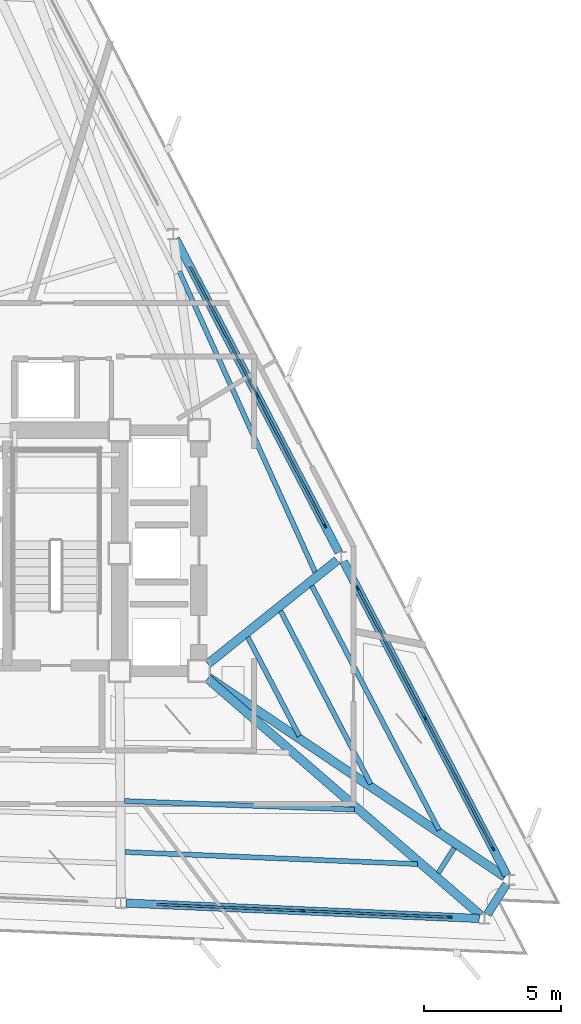
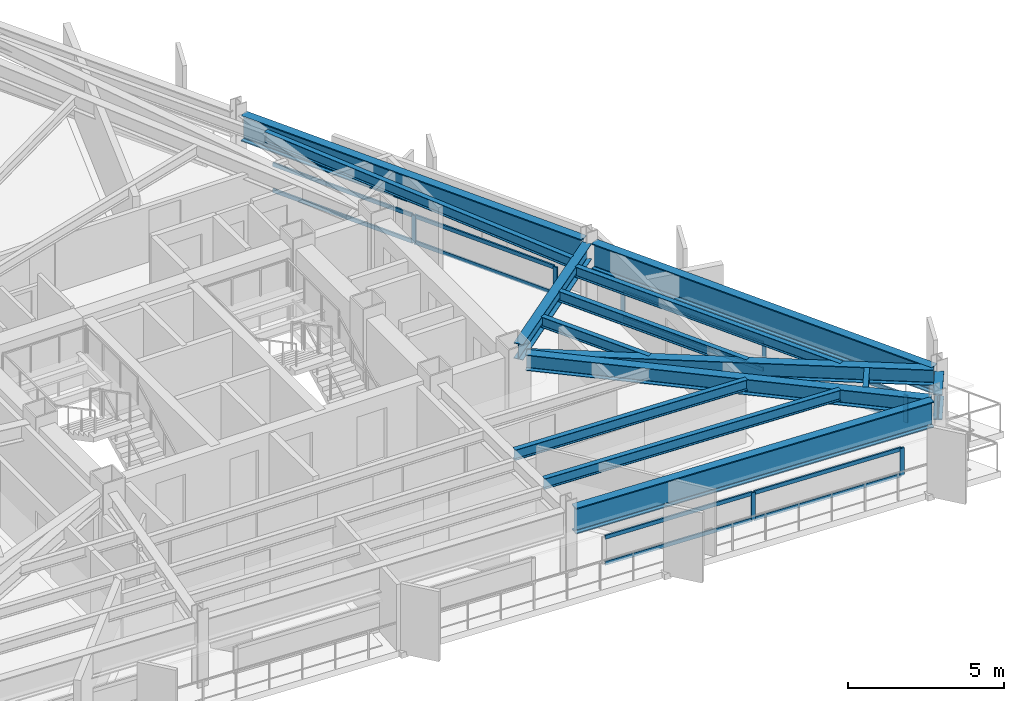
# One storey, part 5 of 12: 19 members, 14 beams, 3 elements without a shape of their own.
"""IFC4 building model written with IfcOpenShell, lengths in metres."""

from ifc_helpers import new_model, si_unit, direction, frame, origin, origin_2d, place, context, subcontext, project, spatial, rectangle, i_section, extrude, material, layer, layer_set, material_profile, profile_set, type_object, element, aggregate, save


model = new_model("IFC4")

# Units and contexts
model_context = context("Model", 3, precision=1e-05, world=origin(), true_north=direction((0.0, 1.0)))
body_context = subcontext(model_context, "Body", "Model", "MODEL_VIEW")
ifc_project = project(units=[si_unit("LENGTHUNIT", "METRE"), si_unit("AREAUNIT", "SQUARE_METRE"), si_unit("VOLUMEUNIT", "CUBIC_METRE"), si_unit("PLANEANGLEUNIT", "RADIAN"), si_unit("MASSUNIT", "GRAM", prefix="KILO")], contexts=[model_context])

# Site, building, storey
site_placement = place(None, origin())
site = spatial("IfcSite", under=ifc_project, at=site_placement, CompositionType="ELEMENT")
building_placement = place(site_placement, origin())
building = spatial("IfcBuilding", under=site, at=building_placement, Name="Rocaltana Carrier Exchange", CompositionType="ELEMENT")
storey_placement = place(building_placement, frame((0.0, 0.0, 144.159912109375)))
storey = spatial("IfcBuildingStorey", under=building, at=storey_placement, Name="L45", CompositionType="ELEMENT", Elevation=144.159912109375)

# Curtain wall, members
ifc_material_1 = material(Name="Aluminium 6063-T6", Category="aluminium")
ifc_layer = layer(ifc_material_1, 0.14990234375)
ifc_layer_set = layer_set([ifc_layer], Name="Aluminium 6063-T6")
curtain_wall_type = type_object("IfcCurtainWallType", Name="Mid-Tower Unitised Curtain Wall CW-03", PredefinedType="NOTDEFINED", material=ifc_layer_set)
curtain_wall_1_placement = place(storey_placement, origin())
curtain_wall_1 = element("IfcCurtainWall", 1, at=curtain_wall_1_placement, inside=storey, type_object=curtain_wall_type, Name="L45 CW-03 Run CW-L45-F1S1", PredefinedType="NOTDEFINED")
ifc_material_2 = material(Name="Aluminium 6063-T6", Category="aluminium")
ifc_material_profile_1 = material_profile(ifc_material_2, rectangle(XDim=0.06005859375, YDim=0.14990234375, at=origin_2d()), Name="AL-60X150")
ifc_profile_set_1 = profile_set([ifc_material_profile_1], Name="Aluminium 6063-T6")
member_type_1 = type_object("IfcMemberType", Name="CW-03 Mullion AL-60X150", PredefinedType="MULLION", material=ifc_profile_set_1)
member_1_placement = place(storey_placement, frame((19.700439453125, -10.792724609375, 0.0), z_axis=(0.0, 0.0, 1.0), x_axis=(-0.887009929614, -0.461750348962, 0.0)))
member_1 = element("IfcMember", 2, at=member_1_placement, type_object=member_type_1, Name="CW-03 mullion 1", PredefinedType="MULLION", context=body_context, shape_type="SweptSolid", body=[
    extrude(rectangle(XDim=0.06005859375, YDim=0.14990234375, at=origin_2d()), origin(), (0.0, 0.0, 1.0), 1.078125),
])
member_2_placement = place(storey_placement, frame((17.220947265625, -6.029541015625, 0.0), z_axis=(0.0, 0.0, 1.0), x_axis=(-0.887009929614, -0.461750348962, 0.0)))
member_2 = element("IfcMember", 3, at=member_2_placement, type_object=member_type_1, Name="CW-03 mullion 2", PredefinedType="MULLION", context=body_context, shape_type="SweptSolid", body=[
    extrude(rectangle(XDim=0.06005859375, YDim=0.14990234375, at=origin_2d()), origin(), (0.0, 0.0, 1.0), 1.078125),
])
member_3_placement = place(storey_placement, frame((14.7412109375, -1.266357421875, 0.0), z_axis=(0.0, 0.0, 1.0), x_axis=(-0.887009929614, -0.461750348962, 0.0)))
member_3 = element("IfcMember", 4, at=member_3_placement, type_object=member_type_1, Name="CW-03 mullion 3", PredefinedType="MULLION", context=body_context, shape_type="SweptSolid", body=[
    extrude(rectangle(XDim=0.06005859375, YDim=0.14990234375, at=origin_2d()), origin(), (0.0, 0.0, 1.0), 1.078125),
])

curtain_wall_2_placement = place(storey_placement, origin())
curtain_wall_2 = element("IfcCurtainWall", 5, at=curtain_wall_2_placement, inside=storey, type_object=curtain_wall_type, Name="L45 CW-03 Run CW-L45-F1S2", PredefinedType="NOTDEFINED")
member_4_placement = place(storey_placement, frame((13.55908203125, 1.00439453125, 0.0), z_axis=(0.0, 0.0, 1.0), x_axis=(-0.887011747812, -0.461746856235, 0.0)))
member_4 = element("IfcMember", 6, at=member_4_placement, type_object=member_type_1, Name="CW-03 mullion 1", PredefinedType="MULLION", context=body_context, shape_type="SweptSolid", body=[
    extrude(rectangle(XDim=0.06005859375, YDim=0.14990234375, at=origin_2d()), origin(), (0.0, 0.0, 1.0), 1.078125),
])
member_5_placement = place(storey_placement, frame((11.07958984375, 5.767578125, 0.0), z_axis=(0.0, 0.0, 1.0), x_axis=(-0.887011747812, -0.461746856235, 0.0)))
member_5 = element("IfcMember", 7, at=member_5_placement, type_object=member_type_1, Name="CW-03 mullion 2", PredefinedType="MULLION", context=body_context, shape_type="SweptSolid", body=[
    extrude(rectangle(XDim=0.06005859375, YDim=0.14990234375, at=origin_2d()), origin(), (0.0, 0.0, 1.0), 1.078125),
])

curtain_wall_3_placement = place(storey_placement, origin())
curtain_wall_3 = element("IfcCurtainWall", 8, at=curtain_wall_3_placement, inside=storey, type_object=curtain_wall_type, Name="L45 CW-03 Run CW-L45-F3S3", PredefinedType="NOTDEFINED")
member_6_placement = place(storey_placement, frame((12.742431640625, -13.05908203125, 0.0), z_axis=(0.0, 0.0, 1.0), x_axis=(0.043629290456, 0.999047789154, 0.0)))
member_6 = element("IfcMember", 9, at=member_6_placement, type_object=member_type_1, Name="CW-03 mullion 2", PredefinedType="MULLION", context=body_context, shape_type="SweptSolid", body=[
    extrude(rectangle(XDim=0.06005859375, YDim=0.14990234375, at=origin_2d()), origin(), (0.0, 0.0, 1.0), 1.078125),
])
member_7_placement = place(storey_placement, frame((18.107421875, -13.29345703125, 0.0), z_axis=(0.0, 0.0, 1.0), x_axis=(0.043629290456, 0.999047789154, 0.0)))
member_7 = element("IfcMember", 10, at=member_7_placement, type_object=member_type_1, Name="CW-03 mullion 3", PredefinedType="MULLION", context=body_context, shape_type="SweptSolid", body=[
    extrude(rectangle(XDim=0.06005859375, YDim=0.14990234375, at=origin_2d()), origin(), (0.0, 0.0, 1.0), 1.078125),
])

# Member
ifc_material_3 = material(Name="Aluminium 6063-T6", Category="aluminium")
ifc_material_profile_2 = material_profile(ifc_material_3, rectangle(XDim=0.06005859375, YDim=0.14990234375, at=origin_2d()), Name="AL-60X150")
ifc_profile_set_2 = profile_set([ifc_material_profile_2], Name="Aluminium 6063-T6")
member_type_2 = type_object("IfcMemberType", Name="CW-03 Transom AL-60X150", PredefinedType="USERDEFINED", material=ifc_profile_set_2)
member_8_placement = place(storey_placement, frame((19.6865234375, -10.76611328125, 0.030029296875), z_axis=(-0.461756588365, 0.887006681543, 0.0), x_axis=(-0.887006681543, -0.461756588365, 0.0)))
member_8 = element("IfcMember", 11, at=member_8_placement, type_object=member_type_2, Name="CW-03 transom 1.1", ObjectType="TRANSOM", PredefinedType="USERDEFINED", context=body_context, shape_type="SweptSolid", body=[
    extrude(rectangle(XDim=0.06005859375, YDim=0.14990234375, at=origin_2d()), origin(), (0.0, 0.0, 1.0), 5.31005859375),
])

member_9_placement = place(storey_placement, frame((19.6865234375, -10.76611328125, 1.048095703125), z_axis=(-0.461756588365, 0.887006681543, 0.0), x_axis=(-0.887006681543, -0.461756588365, 0.0)))
member_9 = element("IfcMember", 12, at=member_9_placement, type_object=member_type_2, Name="CW-03 transom 1.2", ObjectType="TRANSOM", PredefinedType="USERDEFINED", context=body_context, shape_type="SweptSolid", body=[
    extrude(rectangle(XDim=0.06005859375, YDim=0.14990234375, at=origin_2d()), origin(), (0.0, 0.0, 1.0), 5.31005859375),
])

member_10_placement = place(storey_placement, frame((17.20703125, -6.0029296875, 0.030029296875), z_axis=(-0.461756588365, 0.887006681543, 0.0), x_axis=(-0.887006681543, -0.461756588365, 0.0)))
member_10 = element("IfcMember", 13, at=member_10_placement, type_object=member_type_2, Name="CW-03 transom 2.1", ObjectType="TRANSOM", PredefinedType="USERDEFINED", context=body_context, shape_type="SweptSolid", body=[
    extrude(rectangle(XDim=0.06005859375, YDim=0.14990234375, at=origin_2d()), origin(), (0.0, 0.0, 1.0), 5.31005859375),
])

member_11_placement = place(storey_placement, frame((17.20703125, -6.0029296875, 1.048095703125), z_axis=(-0.461756588365, 0.887006681543, 0.0), x_axis=(-0.887006681543, -0.461756588365, 0.0)))
member_11 = element("IfcMember", 14, at=member_11_placement, type_object=member_type_2, Name="CW-03 transom 2.2", ObjectType="TRANSOM", PredefinedType="USERDEFINED", context=body_context, shape_type="SweptSolid", body=[
    extrude(rectangle(XDim=0.06005859375, YDim=0.14990234375, at=origin_2d()), origin(), (0.0, 0.0, 1.0), 5.31005859375),
])

aggregate(curtain_wall_1, [member_1, member_2, member_3, member_8, member_9, member_10, member_11])

member_12_placement = place(storey_placement, frame((13.54541015625, 1.031005859375, 0.030029296875), z_axis=(-0.461737757324, 0.887016484323, 0.0), x_axis=(-0.887016484323, -0.461737757324, 0.0)))
member_12 = element("IfcMember", 15, at=member_12_placement, type_object=member_type_2, Name="CW-03 transom 1.1", ObjectType="TRANSOM", PredefinedType="USERDEFINED", context=body_context, shape_type="SweptSolid", body=[
    extrude(rectangle(XDim=0.06005859375, YDim=0.14990234375, at=origin_2d()), origin(), (0.0, 0.0, 1.0), 5.31005859375),
])

member_13_placement = place(storey_placement, frame((13.54541015625, 1.031005859375, 1.048095703125), z_axis=(-0.461737757324, 0.887016484323, 0.0), x_axis=(-0.887016484323, -0.461737757324, 0.0)))
member_13 = element("IfcMember", 16, at=member_13_placement, type_object=member_type_2, Name="CW-03 transom 1.2", ObjectType="TRANSOM", PredefinedType="USERDEFINED", context=body_context, shape_type="SweptSolid", body=[
    extrude(rectangle(XDim=0.06005859375, YDim=0.14990234375, at=origin_2d()), origin(), (0.0, 0.0, 1.0), 5.31005859375),
])

member_14_placement = place(storey_placement, frame((11.065673828125, 5.794189453125, 0.030029296875), z_axis=(-0.461701582275, 0.887035314362, 0.0), x_axis=(-0.887035314362, -0.461701582275, 0.0)))
member_14 = element("IfcMember", 17, at=member_14_placement, type_object=member_type_2, Name="CW-03 transom 2.1", ObjectType="TRANSOM", PredefinedType="USERDEFINED", context=body_context, shape_type="SweptSolid", body=[
    extrude(rectangle(XDim=0.06005859375, YDim=0.14990234375, at=origin_2d()), origin(), (0.0, 0.0, 1.0), 5.31005859375),
])

member_15_placement = place(storey_placement, frame((11.065673828125, 5.794189453125, 1.048095703125), z_axis=(-0.461701582275, 0.887035314362, 0.0), x_axis=(-0.887035314362, -0.461701582275, 0.0)))
member_15 = element("IfcMember", 18, at=member_15_placement, type_object=member_type_2, Name="CW-03 transom 2.2", ObjectType="TRANSOM", PredefinedType="USERDEFINED", context=body_context, shape_type="SweptSolid", body=[
    extrude(rectangle(XDim=0.06005859375, YDim=0.14990234375, at=origin_2d()), origin(), (0.0, 0.0, 1.0), 5.31005859375),
])

aggregate(curtain_wall_2, [member_4, member_5, member_12, member_13, member_14, member_15])

member_16_placement = place(storey_placement, frame((7.407470703125, -12.826171875, 0.030029296875), z_axis=(0.999047725225, -0.043630754314, 0.0), x_axis=(0.043630754314, 0.999047725225, 0.0)))
member_16 = element("IfcMember", 19, at=member_16_placement, type_object=member_type_2, Name="CW-03 transom 1.1", ObjectType="TRANSOM", PredefinedType="USERDEFINED", context=body_context, shape_type="SweptSolid", body=[
    extrude(rectangle(XDim=0.06005859375, YDim=0.14990234375, at=origin_2d()), origin(), (0.0, 0.0, 1.0), 5.310302734375),
])

member_17_placement = place(storey_placement, frame((7.407470703125, -12.826171875, 1.048095703125), z_axis=(0.999047725225, -0.043630754314, 0.0), x_axis=(0.043630754314, 0.999047725225, 0.0)))
member_17 = element("IfcMember", 20, at=member_17_placement, type_object=member_type_2, Name="CW-03 transom 1.2", ObjectType="TRANSOM", PredefinedType="USERDEFINED", context=body_context, shape_type="SweptSolid", body=[
    extrude(rectangle(XDim=0.06005859375, YDim=0.14990234375, at=origin_2d()), origin(), (0.0, 0.0, 1.0), 5.310302734375),
])

member_18_placement = place(storey_placement, frame((12.7724609375, -13.060546875, 0.030029296875), z_axis=(0.999047637698, -0.043632758442, 0.0), x_axis=(0.043632758442, 0.999047637698, 0.0)))
member_18 = element("IfcMember", 21, at=member_18_placement, type_object=member_type_2, Name="CW-03 transom 2.1", ObjectType="TRANSOM", PredefinedType="USERDEFINED", context=body_context, shape_type="SweptSolid", body=[
    extrude(rectangle(XDim=0.06005859375, YDim=0.14990234375, at=origin_2d()), origin(), (0.0, 0.0, 1.0), 5.31005859375),
])

member_19_placement = place(storey_placement, frame((12.7724609375, -13.060546875, 1.048095703125), z_axis=(0.999047637698, -0.043632758442, 0.0), x_axis=(0.043632758442, 0.999047637698, 0.0)))
member_19 = element("IfcMember", 22, at=member_19_placement, type_object=member_type_2, Name="CW-03 transom 2.2", ObjectType="TRANSOM", PredefinedType="USERDEFINED", context=body_context, shape_type="SweptSolid", body=[
    extrude(rectangle(XDim=0.06005859375, YDim=0.14990234375, at=origin_2d()), origin(), (0.0, 0.0, 1.0), 5.31005859375),
])

aggregate(curtain_wall_3, [member_6, member_7, member_16, member_17, member_18, member_19])

# Beams
ifc_material_4 = material(Name="Steel S355", Category="steel")
ifc_material_profile_3 = material_profile(ifc_material_4, i_section(OverallWidth=0.179931640625, OverallDepth=0.4130859375, WebThickness=0.009765625, FlangeThickness=0.01611328125, FilletRadius=0.012939453125, at=origin_2d()), Name="W16X50")
ifc_profile_set_3 = profile_set([ifc_material_profile_3], Name="Steel S355")
beam_type_1 = type_object("IfcBeamType", Name="Floor Joist W16X50", PredefinedType="JOIST", material=ifc_profile_set_3)
beam_1_placement = place(storey_placement, frame((12.62060546875, -6.678955078125, 2.41162109375), z_axis=(-0.461741088253, 0.887014750395, 0.0), x_axis=(-0.887014750395, -0.461741088253, 0.0)))
element("IfcBeam", 23, at=beam_1_placement, inside=storey, type_object=beam_type_1, Name="FJ-L45-01-1", PredefinedType="JOIST", context=body_context, shape_type="SweptSolid", body=[
    extrude(i_section(OverallWidth=0.179931640625, OverallDepth=0.4130859375, WebThickness=0.009765625, FlangeThickness=0.01611328125, FilletRadius=0.012939453125, at=origin_2d()), origin(), (0.0, 0.0, 1.0), 4.0771484375),
])
beam_2_placement = place(storey_placement, frame((15.229248046875, -8.433349609375, 2.41162109375), z_axis=(-0.461769572887, 0.886999921959, 0.0), x_axis=(-0.886999921959, -0.461769572887, 0.0)))
element("IfcBeam", 24, at=beam_2_placement, inside=storey, type_object=beam_type_1, Name="FJ-L45-01-2", PredefinedType="JOIST", context=body_context, shape_type="SweptSolid", body=[
    extrude(i_section(OverallWidth=0.179931640625, OverallDepth=0.4130859375, WebThickness=0.009765625, FlangeThickness=0.01611328125, FilletRadius=0.012939453125, at=origin_2d()), origin(), (0.0, 0.0, 1.0), 7.135986328125),
])
beam_3_placement = place(storey_placement, frame((17.724365234375, -10.111572265625, 2.41162109375), z_axis=(-0.461760646449, 0.88700456898, 0.0), x_axis=(-0.88700456898, -0.461760646449, 0.0)))
element("IfcBeam", 25, at=beam_3_placement, inside=storey, type_object=beam_type_1, Name="FJ-L45-01-3", PredefinedType="JOIST", context=body_context, shape_type="SweptSolid", body=[
    extrude(i_section(OverallWidth=0.179931640625, OverallDepth=0.4130859375, WebThickness=0.009765625, FlangeThickness=0.01611328125, FilletRadius=0.012939453125, at=origin_2d()), origin(), (0.0, 0.0, 1.0), 10.06201171875),
])
beam_4_placement = place(storey_placement, frame((13.201904296875, -0.697509765625, 2.41162109375), z_axis=(-0.41154987929, 0.911387237598, 0.0), x_axis=(-0.911387237598, -0.41154987929, 0.0)))
element("IfcBeam", 26, at=beam_4_placement, inside=storey, type_object=beam_type_1, Name="FJ-L45-02-3", PredefinedType="JOIST", context=body_context, shape_type="SweptSolid", body=[
    extrude(i_section(OverallWidth=0.179931640625, OverallDepth=0.4130859375, WebThickness=0.009765625, FlangeThickness=0.01611328125, FilletRadius=0.012939453125, at=origin_2d()), origin(), (0.0, 0.0, 1.0), 12.0732421875),
])
beam_5_placement = place(storey_placement, frame((6.233154296875, -9.048583984375, 2.41162109375), z_axis=(0.999306338381, -0.037240328574, 0.0), x_axis=(0.037240328574, 0.999306338381, 0.0)))
element("IfcBeam", 27, at=beam_5_placement, inside=storey, type_object=beam_type_1, Name="FJ-L45-11-2", PredefinedType="JOIST", context=body_context, shape_type="SweptSolid", body=[
    extrude(i_section(OverallWidth=0.179931640625, OverallDepth=0.4130859375, WebThickness=0.009765625, FlangeThickness=0.01611328125, FilletRadius=0.012939453125, at=origin_2d()), origin(), (0.0, 0.0, 1.0), 8.4111328125),
])
beam_6_placement = place(storey_placement, frame((6.243896484375, -10.912353515625, 2.41162109375), z_axis=(0.999155233616, -0.041095244719, 0.0), x_axis=(0.041095244719, 0.999155233616, 0.0)))
element("IfcBeam", 28, at=beam_6_placement, inside=storey, type_object=beam_type_1, Name="FJ-L45-11-3", PredefinedType="JOIST", context=body_context, shape_type="SweptSolid", body=[
    extrude(i_section(OverallWidth=0.179931640625, OverallDepth=0.4130859375, WebThickness=0.009765625, FlangeThickness=0.01611328125, FilletRadius=0.012939453125, at=origin_2d()), origin(), (0.0, 0.0, 1.0), 10.699462890625),
])
beam_7_placement = place(storey_placement, frame((17.69580078125, -11.67919921875, 2.41162109375), z_axis=(0.537311646576, 0.843383776495, 0.0), x_axis=(-0.843383776495, 0.537311646576, 0.0)))
element("IfcBeam", 29, at=beam_7_placement, inside=storey, type_object=beam_type_1, Name="FJ-L45-12-3", PredefinedType="JOIST", context=body_context, shape_type="SweptSolid", body=[
    extrude(i_section(OverallWidth=0.179931640625, OverallDepth=0.4130859375, WebThickness=0.009765625, FlangeThickness=0.01611328125, FilletRadius=0.012939453125, at=origin_2d()), origin(), (0.0, 0.0, 1.0), 1.08642578125),
])
ifc_material_5 = material(Name="Steel S355", Category="steel")
ifc_material_profile_4 = material_profile(ifc_material_5, i_section(OverallWidth=0.323974609375, OverallDepth=0.611083984375, WebThickness=0.0126953125, FlangeThickness=0.01904296875, FilletRadius=0.01611328125, at=origin_2d()), Name="W24X104")
ifc_profile_set_4 = profile_set([ifc_material_profile_4], Name="Steel S355")
beam_type_2 = type_object("IfcBeamType", Name="Radial Girder W24X104", PredefinedType="BEAM", material=ifc_profile_set_4)
beam_8_placement = place(storey_placement, frame((9.2958984375, -4.53271484375, 2.3125), z_axis=(0.829777044165, -0.558095025041, 0.0), x_axis=(0.558095025041, 0.829777044165, 0.0)))
element("IfcBeam", 30, at=beam_8_placement, inside=storey, type_object=beam_type_2, Name="RG-L45-01", PredefinedType="BEAM", context=body_context, shape_type="SweptSolid", body=[
    extrude(i_section(OverallWidth=0.323974609375, OverallDepth=0.611083984375, WebThickness=0.0126953125, FlangeThickness=0.01904296875, FilletRadius=0.01611328125, at=origin_2d()), origin(), (0.0, 0.0, 1.0), 13.059814453125),
])
beam_9_placement = place(storey_placement, frame((9.275390625, -4.039306640625, 2.3125), z_axis=(0.780199806369, 0.625530384667, 0.0), x_axis=(-0.625530384667, 0.780199806369, 0.0)))
element("IfcBeam", 31, at=beam_9_placement, inside=storey, type_object=beam_type_2, Name="RG-L45-02", PredefinedType="BEAM", context=body_context, shape_type="SweptSolid", body=[
    extrude(i_section(OverallWidth=0.323974609375, OverallDepth=0.611083984375, WebThickness=0.0126953125, FlangeThickness=0.01904296875, FilletRadius=0.01611328125, at=origin_2d()), origin(), (0.0, 0.0, 1.0), 6.056640625),
])
beam_10_placement = place(storey_placement, frame((9.26513671875, -4.5732421875, 2.3125), z_axis=(0.755520684866, -0.655124793257, 0.0), x_axis=(0.655124793257, 0.755520684866, 0.0)))
element("IfcBeam", 32, at=beam_10_placement, inside=storey, type_object=beam_type_2, Name="RG-L45-12", PredefinedType="BEAM", context=body_context, shape_type="SweptSolid", body=[
    extrude(i_section(OverallWidth=0.323974609375, OverallDepth=0.611083984375, WebThickness=0.0126953125, FlangeThickness=0.01904296875, FilletRadius=0.01611328125, at=origin_2d()), origin(), (0.0, 0.0, 1.0), 13.20458984375),
])
ifc_material_6 = material(Name="Steel S460", Category="steel")
ifc_material_profile_5 = material_profile(ifc_material_6, i_section(OverallWidth=0.302001953125, OverallDepth=1.008056640625, WebThickness=0.02099609375, FlangeThickness=0.0400390625, FilletRadius=0.030029296875, at=origin_2d()), Name="HEM1000")
ifc_profile_set_5 = profile_set([ifc_material_profile_5], Name="Steel S460")
beam_type_3 = type_object("IfcBeamType", Name="Transfer Ring Girder HEM1000", PredefinedType="USERDEFINED", material=ifc_profile_set_5)
beam_11_placement = place(storey_placement, frame((20.203125, -11.75830078125, 2.114013671875), z_axis=(-0.461760336078, 0.887004730554, 0.0), x_axis=(-0.887004730554, -0.461760336078, 0.0)))
element("IfcBeam", 33, at=beam_11_placement, inside=storey, type_object=beam_type_3, Name="SP-L45-01", ObjectType="TRANSFER GIRDER", PredefinedType="USERDEFINED", context=body_context, shape_type="SweptSolid", body=[
    extrude(i_section(OverallWidth=0.302001953125, OverallDepth=1.008056640625, WebThickness=0.02099609375, FlangeThickness=0.0400390625, FilletRadius=0.030029296875, at=origin_2d()), origin(), (0.0, 0.0, 1.0), 12.9169921875),
])
beam_12_placement = place(storey_placement, frame((14.061767578125, 0.0390625, 2.114013671875), z_axis=(-0.461753206696, 0.887008441959, 0.0), x_axis=(-0.887008441959, -0.461753206696, 0.0)))
element("IfcBeam", 34, at=beam_12_placement, inside=storey, type_object=beam_type_3, Name="SP-L45-02", ObjectType="TRANSFER GIRDER", PredefinedType="USERDEFINED", context=body_context, shape_type="SweptSolid", body=[
    extrude(i_section(OverallWidth=0.302001953125, OverallDepth=1.008056640625, WebThickness=0.02099609375, FlangeThickness=0.0400390625, FilletRadius=0.030029296875, at=origin_2d()), origin(), (0.0, 0.0, 1.0), 12.916748046875),
])
beam_13_placement = place(storey_placement, frame((6.2900390625, -12.777587890625, 2.114013671875), z_axis=(0.999048905187, -0.043603727426, 0.0), x_axis=(0.043603727426, 0.999048905187, 0.0)))
element("IfcBeam", 35, at=beam_13_placement, inside=storey, type_object=beam_type_3, Name="SP-L45-11", ObjectType="TRANSFER GIRDER", PredefinedType="USERDEFINED", context=body_context, shape_type="SweptSolid", body=[
    extrude(i_section(OverallWidth=0.302001953125, OverallDepth=1.008056640625, WebThickness=0.02099609375, FlangeThickness=0.0400390625, FilletRadius=0.030029296875, at=origin_2d()), origin(), (0.0, 0.0, 1.0), 12.9169921875),
])
beam_14_placement = place(storey_placement, frame((19.489013671875, -13.187744140625, 2.114013671875), z_axis=(0.537360684566, 0.843352532861, 0.0), x_axis=(-0.843352532861, 0.537360684566, 0.0)))
element("IfcBeam", 36, at=beam_14_placement, inside=storey, type_object=beam_type_3, Name="SP-L45-12", ObjectType="TRANSFER GIRDER", PredefinedType="USERDEFINED", context=body_context, shape_type="SweptSolid", body=[
    extrude(i_section(OverallWidth=0.302001953125, OverallDepth=1.008056640625, WebThickness=0.02099609375, FlangeThickness=0.0400390625, FilletRadius=0.030029296875, at=origin_2d()), origin(), (0.0, 0.0, 1.0), 1.302001953125),
])

save(model, "model.ifc")
